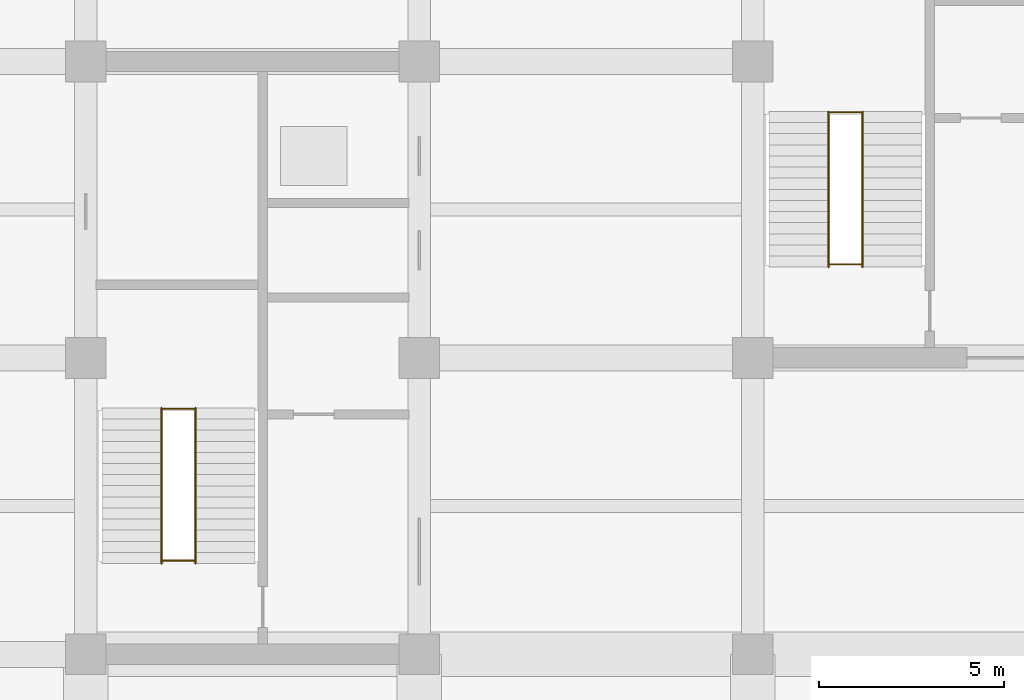
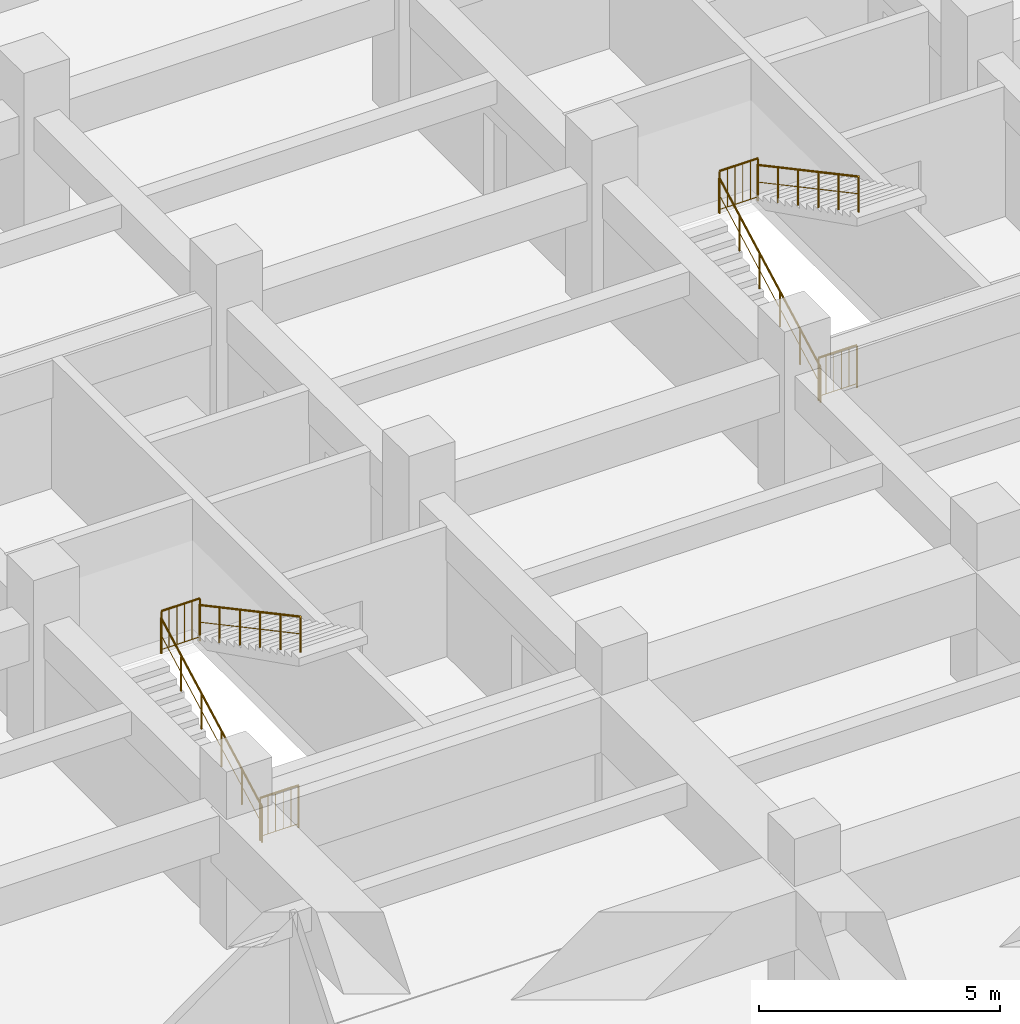
# One storey, part 36 of 40: 8 railings.
"""IFC4 building model written with IfcOpenShell, lengths in metres."""

import ifcopenshell
import ifcopenshell.guid

model = None  # the IFC model being written
_history = None  # IfcOwnerHistory: only IFC2X3 demands one
_inside = {}  # id of a spatial element -> (the spatial element, [elements in it])
_under = {}  # id of a project, library or spatial element -> (it, [spatial elements below it])
_declared = {}  # id of a project -> (the project, [libraries it declares])
_typed = {}  # id of a type object -> (the type object, [elements of that type])
_made_of = {}  # id of a material, layer set ... -> (it, [elements and type objects made of it])


def new_model(schema):
    """Start an empty IFC model of exactly this schema.

    Asked for "IFC4X3", IfcOpenShell would pick the latest addendum, in which some entities
    have other attributes; the version numbers below select the first issue.
    IFC2X3 requires an IfcOwnerHistory on every rooted entity: one is made here for all.
    """
    global model, _history
    if schema == "IFC4X3":
        model = ifcopenshell.file(schema_version=(4, 3, 0, 0))
    else:
        model = ifcopenshell.file(schema=schema)
    _inside.clear()
    _under.clear()
    _declared.clear()
    _typed.clear()
    _made_of.clear()
    _history = None
    if model.schema == "IFC2X3":
        org = make("IfcOrganization", Name="unknown")
        user = make(
            "IfcPersonAndOrganization",
            ThePerson=make("IfcPerson", FamilyName="unknown"),
            TheOrganization=org,
        )
        app = make(
            "IfcApplication",
            ApplicationDeveloper=org,
            Version="unknown",
            ApplicationFullName="unknown",
            ApplicationIdentifier="unknown",
        )
        _history = make(
            "IfcOwnerHistory",
            OwningUser=user,
            OwningApplication=app,
            ChangeAction="ADDED",
            CreationDate=0,
        )
    return model


def make(cls, **values):
    """One entity of the class cls with the attributes given. An attribute that is None is left unset."""
    return model.create_entity(
        cls, **{name: value for name, value in values.items() if value is not None}
    )


def rooted(cls, **values):
    """An entity with a GlobalId (a new one), such as an element, a storey or a relation."""
    return make(cls, GlobalId=ifcopenshell.guid.new(), OwnerHistory=_history, **values)


def si_unit(unit_type, name, prefix=None):
    """IfcSIUnit, for example si_unit("LENGTHUNIT", "METRE", prefix="MILLI")."""
    return make("IfcSIUnit", UnitType=unit_type, Prefix=prefix, Name=name)


def assignment(units):
    """IfcUnitAssignment: the units of a project."""
    return None if units is None else make("IfcUnitAssignment", Units=units)


def point(xyz):
    """IfcCartesianPoint."""
    return None if xyz is None else make("IfcCartesianPoint", Coordinates=xyz)


def direction(xyz):
    """IfcDirection."""
    return None if xyz is None else make("IfcDirection", DirectionRatios=xyz)


def frame(location, z_axis=None, x_axis=None):
    """IfcAxis2Placement3D, a coordinate frame: its origin and axes. An axis left out is left unset."""
    return make(
        "IfcAxis2Placement3D",
        Location=point(location),
        Axis=direction(z_axis),
        RefDirection=direction(x_axis),
    )


def frame_2d(location, x_axis=None):
    """IfcAxis2Placement2D, a coordinate frame in the plane: its origin and x axis."""
    return make(
        "IfcAxis2Placement2D", Location=point(location), RefDirection=direction(x_axis)
    )


def origin():
    """The frame at (0, 0, 0) with its axes left unset."""
    return frame((0.0, 0.0, 0.0))


def origin_2d():
    """The frame at (0, 0) in the plane with its x axis left unset."""
    return frame_2d((0.0, 0.0))


def place(relative_to, where):
    """IfcLocalPlacement: puts the frame where relative to a parent placement (None: the world)."""
    return make(
        "IfcLocalPlacement", PlacementRelTo=relative_to, RelativePlacement=where
    )


def context(
    kind, dimensions, precision=None, world=None, true_north=None, identifier=None
):
    """IfcGeometricRepresentationContext, for example the 3D "Model" context."""
    return make(
        "IfcGeometricRepresentationContext",
        ContextIdentifier=identifier,
        ContextType=kind,
        CoordinateSpaceDimension=dimensions,
        Precision=precision,
        WorldCoordinateSystem=world,
        TrueNorth=true_north,
    )


def subcontext(parent, identifier, kind, view, scale=None):
    """IfcGeometricRepresentationSubContext, for example "Body" below "Model"."""
    return make(
        "IfcGeometricRepresentationSubContext",
        ContextIdentifier=identifier,
        ContextType=kind,
        ParentContext=parent,
        TargetScale=scale,
        TargetView=view,
    )


def project(units=None, contexts=None):
    """IfcProject with its units and contexts."""
    return rooted(
        "IfcProject",
        Name="project",
        RepresentationContexts=contexts,
        UnitsInContext=assignment(units),
    )


def spatial(cls, under=None, at=None, **own):
    """A site, building, storey or space (cls), placed at a placement, below another one or the project."""
    s = rooted(cls, ObjectPlacement=at, **own)
    if under is not None:
        _under.setdefault(under.id(), (under, []))[1].append(s)
    return s


def profile(cls, at=None, kind="AREA", **sizes):
    """A parametric profile (cls). Its sizes go by their IFC names, for example OverallWidth=200.0."""
    return make(cls, ProfileType=kind, Position=at, **sizes)


def circle(**sizes):
    """IfcCircleProfileDef."""
    return profile("IfcCircleProfileDef", **sizes)


def extrude(swept, where, along, depth):
    """IfcExtrudedAreaSolid: the profile swept, set in the frame where, extruded along a direction by depth."""
    return make(
        "IfcExtrudedAreaSolid",
        SweptArea=swept,
        Position=where,
        ExtrudedDirection=direction(along),
        Depth=depth,
    )


def shape(context_of_items, identifier, shape_type, items):
    """IfcShapeRepresentation: the items that make up one representation, for example the "Body"."""
    return make(
        "IfcShapeRepresentation",
        ContextOfItems=context_of_items,
        RepresentationIdentifier=identifier,
        RepresentationType=shape_type,
        Items=items,
    )


def material(Name=None, Category=None):
    """IfcMaterial."""
    return make("IfcMaterial", Name=Name, Category=Category)


def layer(
    of_material, thickness, ventilated=None, Name=None, Category=None, Priority=None
):
    """IfcMaterialLayer: one layer of a wall or slab, of a material (None: an air gap)."""
    return make(
        "IfcMaterialLayer",
        Material=of_material,
        LayerThickness=thickness,
        IsVentilated=ventilated,
        Name=Name,
        Category=Category,
        Priority=Priority,
    )


def layer_set(layers, Name=None):
    """IfcMaterialLayerSet."""
    return make("IfcMaterialLayerSet", MaterialLayers=layers, LayerSetName=Name)


def made_of(thing, what):
    """Note that an element or type object is made of a material, layer set ...; save() writes the relation."""
    if what is not None:
        _made_of.setdefault(what.id(), (what, []))[1].append(thing)
    return thing


def type_object(cls, material=None, **own):
    """A type object (cls), such as IfcWallType, which elements share."""
    return made_of(rooted(cls, **own), material)


def element(
    cls,
    number,
    at=None,
    inside=None,
    cuts=None,
    type_object=None,
    material=None,
    context=None,
    identifier="Body",
    shape_type=None,
    held_by="IfcProductDefinitionShape",
    body=None,
    shapes=None,
    **own,
):
    """One element of the class cls, such as IfcWall. Its Tag is "e" and its number.

    at: its placement. inside: the storey or other place that contains it. cuts: it is an
    opening in that element (IfcRelVoidsElement). A single representation is given by context,
    identifier, shape_type and body (its items); several are given by shapes. held_by: the class
    of the entity that holds the representations. save() writes the other relations.
    """
    e = rooted(cls, Tag="e%d" % number, ObjectPlacement=at, **own)
    if body is not None:
        shapes = [shape(context, identifier, shape_type, body)]
    if shapes is not None:
        e.Representation = make(held_by, Representations=shapes)
    if inside is not None:
        _inside.setdefault(inside.id(), (inside, []))[1].append(e)
    if cuts is not None:
        rooted(
            "IfcRelVoidsElement", RelatingBuildingElement=cuts, RelatedOpeningElement=e
        )
    if type_object is not None:
        _typed.setdefault(type_object.id(), (type_object, []))[1].append(e)
    return made_of(e, material)


def aggregate(whole, parts):
    """IfcRelAggregates: a whole, such as a stair, and the parts it consists of."""
    return rooted("IfcRelAggregates", RelatingObject=whole, RelatedObjects=parts)


def save(model, path):
    """Write the relations noted so far, then the file.

    IfcRelAggregates (storeys below a building ...), IfcRelContainedInSpatialStructure (elements
    in a storey), IfcRelDefinesByType, IfcRelAssociatesMaterial and IfcRelDeclares: one each for
    every whole, place, type object, material and project.
    """
    for whole, parts in _under.values():
        aggregate(whole, parts)
    for where, things in _inside.values():
        rooted(
            "IfcRelContainedInSpatialStructure",
            RelatedElements=things,
            RelatingStructure=where,
        )
    for kind, things in _typed.values():
        rooted("IfcRelDefinesByType", RelatedObjects=things, RelatingType=kind)
    for what, things in _made_of.values():
        rooted("IfcRelAssociatesMaterial", RelatedObjects=things, RelatingMaterial=what)
    for by, libraries in _declared.values():
        rooted("IfcRelDeclares", RelatingContext=by, RelatedDefinitions=libraries)
    model.write(path)


model = new_model("IFC4")

# Units and contexts
model_context = context("Model", 3, precision=1e-05, world=origin(), true_north=direction((0.0, 1.0)))
body_context = subcontext(model_context, "Body", "Model", "MODEL_VIEW")
ifc_project = project(units=[si_unit("LENGTHUNIT", "METRE"), si_unit("AREAUNIT", "SQUARE_METRE"), si_unit("VOLUMEUNIT", "CUBIC_METRE"), si_unit("PLANEANGLEUNIT", "RADIAN"), si_unit("MASSUNIT", "GRAM", prefix="KILO")], contexts=[model_context])

# Site, building, storey
site_placement = place(None, origin())
site = spatial("IfcSite", under=ifc_project, at=site_placement, CompositionType="ELEMENT")
building_placement = place(site_placement, origin())
building = spatial("IfcBuilding", under=site, at=building_placement, Name="Zaverband Oceanarium and Marine Research Institute", CompositionType="ELEMENT")
storey_placement = place(building_placement, origin())
storey = spatial("IfcBuildingStorey", under=building, at=storey_placement, Name="L00", CompositionType="ELEMENT", Elevation=0.0)

# Railings
ifc_material = material(Name="Steel S355", Category="steel")
ifc_layer_1 = layer(ifc_material, 0.06005859375, Name="Steel S355")
ifc_layer_set_1 = layer_set([ifc_layer_1], Name="Steel S355")
railing_type_1 = type_object("IfcRailingType", Name="GRD-1100", PredefinedType="BALUSTRADE", material=ifc_layer_set_1)
for number, where, name in (
    (1, (20.0400390625, 86.6298828125, 2.25), "1100 mm steel post-and-baluster safety guard GRD-1100"),
    (2, (20.0400390625, 82.530029296875, 0.0), "1100 mm steel post-and-baluster safety guard GRD-1100"),
    (3, (38.0400390625, 94.6298828125, 2.25), "1100 mm steel post-and-baluster safety guard GRD-1100"),
    (4, (38.0400390625, 90.530029296875, 0.0), "1100 mm steel post-and-baluster safety guard GRD-1100"),
):
    element("IfcRailing", number, at=place(storey_placement, frame(where)), inside=storey, type_object=railing_type_1, Name=name, PredefinedType="BALUSTRADE", context=body_context, shape_type="SweptSolid", body=[
        extrude(circle(Radius=0.02392578125, at=origin_2d()), frame((0.0, 0.0, 1.076171875), z_axis=(1.0, 0.0, 0.0), x_axis=(0.0, 1.0, 0.0)), (0.0, 0.0, 1.0), 0.919921875),
        extrude(circle(Radius=0.009033203125, at=origin_2d()), frame((0.0, 0.0, 0.10009765625), z_axis=(1.0, 0.0, 0.0), x_axis=(0.0, 1.0, 0.0)), (0.0, 0.0, 1.0), 0.919921875),
        extrude(circle(Radius=0.009033203125, at=origin_2d()), frame((0.18408203125, 0.0, 0.10009765625)), (0.0, 0.0, 1.0), 0.951904296875),
        extrude(circle(Radius=0.009033203125, at=origin_2d()), frame((0.367919921875, 0.0, 0.10009765625)), (0.0, 0.0, 1.0), 0.951904296875),
        extrude(circle(Radius=0.009033203125, at=origin_2d()), frame((0.552001953125, 0.0, 0.10009765625)), (0.0, 0.0, 1.0), 0.951904296875),
        extrude(circle(Radius=0.009033203125, at=origin_2d()), frame((0.73583984375, 0.0, 0.10009765625)), (0.0, 0.0, 1.0), 0.951904296875),
        extrude(circle(Radius=0.02099609375, at=origin_2d()), origin(), (0.0, 0.0, 1.0), 1.052001953125),
        extrude(circle(Radius=0.02099609375, at=origin_2d()), frame((0.919921875, 0.0, 0.0)), (0.0, 0.0, 1.0), 1.052001953125),
    ])
ifc_layer_2 = layer(ifc_material, 0.050048828125, Name="Steel S355")
ifc_layer_set_2 = layer_set([ifc_layer_2], Name="Steel S355")
railing_type_2 = type_object("IfcRailingType", Name="HR-920", PredefinedType="HANDRAIL", material=ifc_layer_set_2)
railing_1_placement = place(storey_placement, frame((20.0400390625, 82.449951171875, 0.0)))
element("IfcRailing", 5, at=railing_1_placement, inside=storey, type_object=railing_type_2, Name="920 mm continuous tubular stair and ramp handrail HR-920", PredefinedType="HANDRAIL", context=body_context, shape_type="SweptSolid", body=[
    extrude(circle(Radius=0.02392578125, at=origin_2d()), frame((0.0, 0.0, 0.89599609375), z_axis=(0.0, 0.881477684796, 0.472225678258), x_axis=(-1.0, 0.0, 0.0)), (0.0, 0.0, 1.0), 4.7646484375),
    extrude(circle(Radius=0.009033203125, at=origin_2d()), frame((0.0, 0.0, 0.4599609375), z_axis=(0.0, 0.881477684796, 0.472225678258), x_axis=(-1.0, 0.0, 0.0)), (0.0, 0.0, 1.0), 4.7646484375),
    extrude(circle(Radius=0.02099609375, at=origin_2d()), origin(), (0.0, 0.0, 1.0), 0.871826171875),
    extrude(circle(Radius=0.02099609375, at=origin_2d()), frame((0.0, 0.840087890625, 0.449951171875)), (0.0, 0.0, 1.0), 0.871826171875),
    extrude(circle(Radius=0.02099609375, at=origin_2d()), frame((0.0, 1.679931640625, 0.89990234375)), (0.0, 0.0, 1.0), 0.871826171875),
    extrude(circle(Radius=0.02099609375, at=origin_2d()), frame((0.0, 2.52001953125, 1.35009765625)), (0.0, 0.0, 1.0), 0.871826171875),
    extrude(circle(Radius=0.02099609375, at=origin_2d()), frame((0.0, 3.35986328125, 1.800048828125)), (0.0, 0.0, 1.0), 0.871826171875),
    extrude(circle(Radius=0.02099609375, at=origin_2d()), frame((0.0, 4.199951171875, 2.25)), (0.0, 0.0, 1.0), 0.871826171875),
])
railing_2_placement = place(storey_placement, frame((20.9599609375, 86.64990234375, 2.25)))
element("IfcRailing", 6, at=railing_2_placement, inside=storey, type_object=railing_type_2, Name="920 mm continuous tubular stair and ramp handrail HR-920", PredefinedType="HANDRAIL", context=body_context, shape_type="SweptSolid", body=[
    extrude(circle(Radius=0.02392578125, at=origin_2d()), frame((0.0, 0.0, 0.89599609375), z_axis=(0.0, -0.881477684796, 0.472225678258), x_axis=(1.0, 0.0, 0.0)), (0.0, 0.0, 1.0), 4.7646484375),
    extrude(circle(Radius=0.009033203125, at=origin_2d()), frame((0.0, 0.0, 0.4599609375), z_axis=(0.0, -0.881477684796, 0.472225678258), x_axis=(1.0, 0.0, 0.0)), (0.0, 0.0, 1.0), 4.7646484375),
    extrude(circle(Radius=0.02099609375, at=origin_2d()), origin(), (0.0, 0.0, 1.0), 0.871826171875),
    extrude(circle(Radius=0.02099609375, at=origin_2d()), frame((0.0, -0.840087890625, 0.449951171875)), (0.0, 0.0, 1.0), 0.871826171875),
    extrude(circle(Radius=0.02099609375, at=origin_2d()), frame((0.0, -1.679931640625, 0.89990234375)), (0.0, 0.0, 1.0), 0.871826171875),
    extrude(circle(Radius=0.02099609375, at=origin_2d()), frame((0.0, -2.52001953125, 1.35009765625)), (0.0, 0.0, 1.0), 0.871826171875),
    extrude(circle(Radius=0.02099609375, at=origin_2d()), frame((0.0, -3.35986328125, 1.800048828125)), (0.0, 0.0, 1.0), 0.871826171875),
    extrude(circle(Radius=0.02099609375, at=origin_2d()), frame((0.0, -4.199951171875, 2.25)), (0.0, 0.0, 1.0), 0.871826171875),
])
railing_3_placement = place(storey_placement, frame((38.0400390625, 90.449951171875, 0.0)))
element("IfcRailing", 7, at=railing_3_placement, inside=storey, type_object=railing_type_2, Name="920 mm continuous tubular stair and ramp handrail HR-920", PredefinedType="HANDRAIL", context=body_context, shape_type="SweptSolid", body=[
    extrude(circle(Radius=0.02392578125, at=origin_2d()), frame((0.0, 0.0, 0.89599609375), z_axis=(0.0, 0.881477684796, 0.472225678258), x_axis=(-1.0, 0.0, 0.0)), (0.0, 0.0, 1.0), 4.7646484375),
    extrude(circle(Radius=0.009033203125, at=origin_2d()), frame((0.0, 0.0, 0.4599609375), z_axis=(0.0, 0.881477684796, 0.472225678258), x_axis=(-1.0, 0.0, 0.0)), (0.0, 0.0, 1.0), 4.7646484375),
    extrude(circle(Radius=0.02099609375, at=origin_2d()), origin(), (0.0, 0.0, 1.0), 0.871826171875),
    extrude(circle(Radius=0.02099609375, at=origin_2d()), frame((0.0, 0.840087890625, 0.449951171875)), (0.0, 0.0, 1.0), 0.871826171875),
    extrude(circle(Radius=0.02099609375, at=origin_2d()), frame((0.0, 1.679931640625, 0.89990234375)), (0.0, 0.0, 1.0), 0.871826171875),
    extrude(circle(Radius=0.02099609375, at=origin_2d()), frame((0.0, 2.52001953125, 1.35009765625)), (0.0, 0.0, 1.0), 0.871826171875),
    extrude(circle(Radius=0.02099609375, at=origin_2d()), frame((0.0, 3.35986328125, 1.800048828125)), (0.0, 0.0, 1.0), 0.871826171875),
    extrude(circle(Radius=0.02099609375, at=origin_2d()), frame((0.0, 4.199951171875, 2.25)), (0.0, 0.0, 1.0), 0.871826171875),
])
railing_4_placement = place(storey_placement, frame((38.9599609375, 94.64990234375, 2.25)))
element("IfcRailing", 8, at=railing_4_placement, inside=storey, type_object=railing_type_2, Name="920 mm continuous tubular stair and ramp handrail HR-920", PredefinedType="HANDRAIL", context=body_context, shape_type="SweptSolid", body=[
    extrude(circle(Radius=0.02392578125, at=origin_2d()), frame((0.0, 0.0, 0.89599609375), z_axis=(0.0, -0.881477684796, 0.472225678258), x_axis=(1.0, 0.0, 0.0)), (0.0, 0.0, 1.0), 4.7646484375),
    extrude(circle(Radius=0.009033203125, at=origin_2d()), frame((0.0, 0.0, 0.4599609375), z_axis=(0.0, -0.881477684796, 0.472225678258), x_axis=(1.0, 0.0, 0.0)), (0.0, 0.0, 1.0), 4.7646484375),
    extrude(circle(Radius=0.02099609375, at=origin_2d()), origin(), (0.0, 0.0, 1.0), 0.871826171875),
    extrude(circle(Radius=0.02099609375, at=origin_2d()), frame((0.0, -0.840087890625, 0.449951171875)), (0.0, 0.0, 1.0), 0.871826171875),
    extrude(circle(Radius=0.02099609375, at=origin_2d()), frame((0.0, -1.679931640625, 0.89990234375)), (0.0, 0.0, 1.0), 0.871826171875),
    extrude(circle(Radius=0.02099609375, at=origin_2d()), frame((0.0, -2.52001953125, 1.35009765625)), (0.0, 0.0, 1.0), 0.871826171875),
    extrude(circle(Radius=0.02099609375, at=origin_2d()), frame((0.0, -3.35986328125, 1.800048828125)), (0.0, 0.0, 1.0), 0.871826171875),
    extrude(circle(Radius=0.02099609375, at=origin_2d()), frame((0.0, -4.199951171875, 2.25)), (0.0, 0.0, 1.0), 0.871826171875),
])

save(model, "model.ifc")
